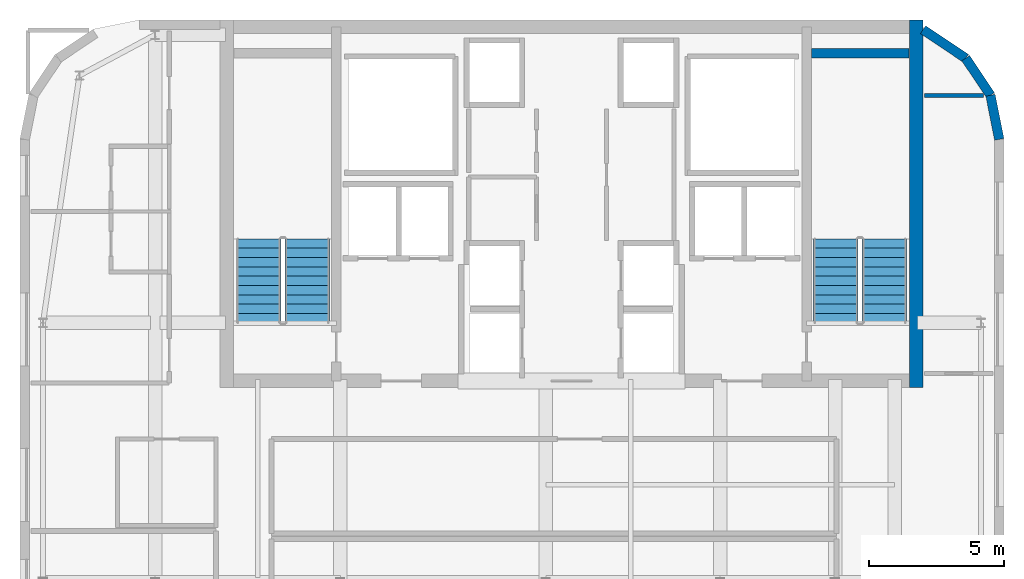
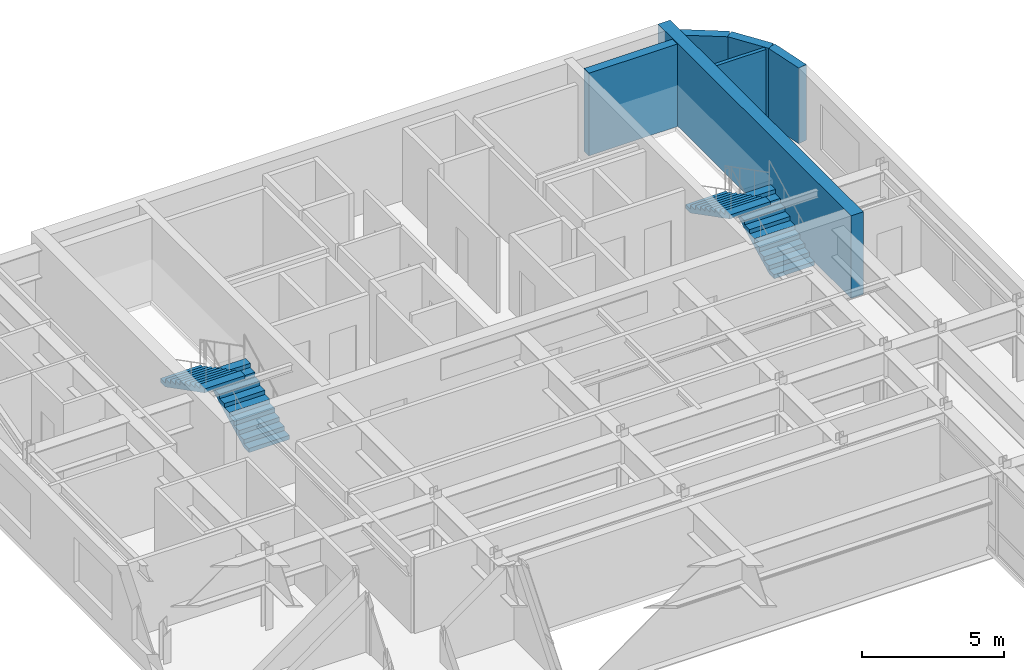
# One storey, part 20 of 21: 6 walls, 4 stair flights, 2 elements without a shape of their own.
"""IFC4 building model written with IfcOpenShell, lengths in metres."""

from ifc_helpers import new_model, si_unit, direction, frame, frame_2d, origin, place, context, subcontext, project, spatial, polyline, rectangle, outline, extrude, material, layer, layer_set, type_object, element, aggregate, save


model = new_model("IFC4")

# Units and contexts
model_context = context("Model", 3, precision=1e-05, world=origin(), true_north=direction((0.0, 1.0)))
body_context = subcontext(model_context, "Body", "Model", "MODEL_VIEW")
ifc_project = project(units=[si_unit("LENGTHUNIT", "METRE"), si_unit("AREAUNIT", "SQUARE_METRE"), si_unit("VOLUMEUNIT", "CUBIC_METRE"), si_unit("PLANEANGLEUNIT", "RADIAN"), si_unit("MASSUNIT", "GRAM", prefix="KILO")], contexts=[model_context])

# Site, building, storey
site_placement = place(None, origin())
site = spatial("IfcSite", under=ifc_project, at=site_placement, CompositionType="ELEMENT")
building_placement = place(site_placement, origin())
building = spatial("IfcBuilding", under=site, at=building_placement, Name="Tolvann Quenvar Hotel", CompositionType="ELEMENT")
storey_placement = place(building_placement, frame((0.0, 0.0, 266.5)))
storey = spatial("IfcBuildingStorey", under=building, at=storey_placement, Name="L71", CompositionType="ELEMENT", Elevation=266.5)

# Walls
ifc_material_1 = material(Name="Concrete N50 (50 MPa)", Category="concrete")
ifc_layer_1 = layer(ifc_material_1, 0.5)
ifc_layer_set_1 = layer_set([ifc_layer_1], Name="Concrete N50 (50 MPa)")
wall_type_1 = type_object("IfcWallType", Name="WALL_CORE_500", PredefinedType="SHEAR", material=ifc_layer_set_1)
wall_1_placement = place(storey_placement, frame((35.75, 31.60009765625, 0.0), z_axis=(0.0, 0.0, 1.0), x_axis=(0.0, 1.0, 0.0)))
element("IfcWall", 1, at=wall_1_placement, inside=storey, type_object=wall_type_1, Name="Rear Core E Shear Wall (L71)", PredefinedType="SHEAR", context=body_context, shape_type="SweptSolid", body=[
    extrude(rectangle(XDim=13.599853515625, YDim=0.5, at=frame_2d((6.7998046875, 0.0))), origin(), (0.0, 0.0, 1.0), 3.550048828125),
])
ifc_material_2 = material(Name="Concrete S65 (65 MPa)", Category="concrete")
ifc_layer_2 = layer(ifc_material_2, 0.35009765625)
ifc_layer_set_2 = layer_set([ifc_layer_2], Name="Concrete S65 (65 MPa)")
wall_type_2 = type_object("IfcWallType", Name="WALL_CORE_INT_350", PredefinedType="SHEAR", material=ifc_layer_set_2)
wall_2_placement = place(storey_placement, frame((31.8798828125, 43.97509765625, 0.0), z_axis=(0.0, 0.0, 1.0), x_axis=(1.0, 0.0, 0.0)))
element("IfcWall", 2, at=wall_2_placement, inside=storey, type_object=wall_type_2, Name="Core Stair North Closing Shear Wall STC2-N (L71)", PredefinedType="SHEAR", context=body_context, shape_type="SweptSolid", body=[
    extrude(rectangle(XDim=3.60009765625, YDim=0.35009765625, at=frame_2d((1.800048828125, 0.0))), origin(), (0.0, 0.0, 1.0), 3.550048828125),
])
ifc_material_3 = material(Name="Kiln-fired red and buff architectural clay brickwork and terracotta masonry", Category="masonry")
ifc_layer_3 = layer(ifc_material_3, 0.35009765625)
ifc_layer_set_3 = layer_set([ifc_layer_3], Name="Kiln-fired red and buff architectural clay brickwork and terracotta masonry")
wall_type_3 = type_object("IfcWallType", Name="WALL_EXT_BRICK_350", PredefinedType="SOLIDWALL", material=ifc_layer_set_3)
wall_3_placement = place(storey_placement, frame((38.824951171875, 40.78271484375, 0.0), z_axis=(0.0, 0.0, 1.0), x_axis=(-0.195044345786, 0.980794424524, 0.0)))
element("IfcWall", 3, at=wall_3_placement, inside=storey, type_object=wall_type_3, Name="Exterior Chicago Brick Wall L71-E14", PredefinedType="SOLIDWALL", context=body_context, shape_type="SweptSolid", body=[
    extrude(rectangle(XDim=1.664794921875, YDim=0.35009765625, at=frame_2d((0.83251953125, 0.0))), origin(), (0.0, 0.0, 1.0), 3.25),
])
wall_4_placement = place(storey_placement, frame((38.500244140625, 42.41552734375, 0.0), z_axis=(0.0, 0.0, 1.0), x_axis=(-0.555520825599, 0.831502623162, 0.0)))
element("IfcWall", 4, at=wall_4_placement, inside=storey, type_object=wall_type_3, Name="Exterior Chicago Brick Wall L71-E15", PredefinedType="SOLIDWALL", context=body_context, shape_type="SweptSolid", body=[
    extrude(rectangle(XDim=1.647216796875, YDim=0.35009765625, at=frame_2d((0.82373046875, 0.0))), origin(), (0.0, 0.0, 1.0), 3.25),
])
wall_5_placement = place(storey_placement, frame((37.585205078125, 43.78515625, 0.0), z_axis=(0.0, 0.0, 1.0), x_axis=(-0.831516639465, 0.555499845448, 0.0)))
element("IfcWall", 5, at=wall_5_placement, inside=storey, type_object=wall_type_3, Name="Exterior Chicago Brick Wall L71-E16", PredefinedType="SOLIDWALL", context=body_context, shape_type="SweptSolid", body=[
    extrude(rectangle(XDim=1.901611328125, YDim=0.35009765625, at=frame_2d((0.95068359375, 0.0))), origin(), (0.0, 0.0, 1.0), 3.25),
])
ifc_material_4 = material(Name="Acoustic twin-stud fire-rated gypsum plasterboard partition")
ifc_layer_4 = layer(ifc_material_4, 0.14990234375)
ifc_layer_set_4 = layer_set([ifc_layer_4], Name="Acoustic twin-stud fire-rated gypsum plasterboard partition")
wall_type_4 = type_object("IfcWallType", Name="WALL_PART_SUITE_150", PredefinedType="PARTITIONING", material=ifc_layer_set_4)
wall_6_placement = place(storey_placement, frame((36.054931640625, 42.39990234375, 0.0), z_axis=(0.0, 0.0, 1.0), x_axis=(1.0, 0.0, 0.0)))
element("IfcWall", 6, at=wall_6_placement, inside=storey, type_object=wall_type_4, Name="Interior Partition PT-SPC-L71-RECPL-P-N", PredefinedType="PARTITIONING", context=body_context, shape_type="SweptSolid", body=[
    extrude(rectangle(XDim=2.178955078125, YDim=0.14990234375, at=frame_2d((1.08935546875, 0.0))), origin(), (0.0, 0.0, 1.0), 3.25),
])

# Stair, stair flights
ifc_material_5 = material(Name="Concrete N40 (40 MPa)", Category="concrete")
stair_type = type_object("IfcStairType", Name="STAIR", PredefinedType="HALF_TURN_STAIR", material=ifc_material_5)
stair_1_placement = place(storey_placement, origin())
stair_1 = element("IfcStair", 7, at=stair_1_placement, inside=storey, type_object=stair_type, Name="L71 ST-C1", PredefinedType="HALF_TURN_STAIR")
stair_flight_type = type_object("IfcStairFlightType", Name="STAIR_FLIGHT", PredefinedType="STRAIGHT", material=ifc_material_5)
stair_flight_1_placement = place(storey_placement, frame((13.22509765625, 34.0, 0.0), z_axis=(0.0, 0.0, 1.0), x_axis=(0.0, 1.0, 0.0)))
stair_flight_1 = element("IfcStairFlight", 8, at=stair_flight_1_placement, type_object=stair_flight_type, Name="ST-C1 flight 1", NumberOfRisers=10, NumberOfTreads=9, PredefinedType="STRAIGHT", RiserHeight=0.1775, TreadLength=0.345, context=body_context, shape_type="SweptSolid", body=[
    extrude(outline(polyline([(0.0, 0.0), (0.0, 0.177490234375), (0.344970703125, 0.177490234375), (0.344970703125, 0.35498046875), (0.68994140625, 0.35498046875), (0.68994140625, 0.532470703125), (1.034912109375, 0.532470703125), (1.034912109375, 0.7099609375), (1.3798828125, 0.7099609375), (1.3798828125, 0.887451171875), (1.72509765625, 0.887451171875), (1.72509765625, 1.06494140625), (2.070068359375, 1.06494140625), (2.070068359375, 1.242431640625), (2.4150390625, 1.242431640625), (2.4150390625, 1.419921875), (2.760009765625, 1.419921875), (2.760009765625, 1.597412109375), (3.10498046875, 1.597412109375), (3.10498046875, 1.77490234375), (3.10498046875, 1.428955078125), (0.32763671875, 0.0), (0.0, 0.0)])), frame((0.0, 0.824951171875, 0.0), z_axis=(0.0, -1.0, 0.0), x_axis=(1.0, 0.0, 0.0)), (0.0, 0.0, 1.0), 1.64990234375),
])
stair_flight_2_placement = place(storey_placement, frame((11.425048828125, 37.10498046875, 1.77490234375), z_axis=(0.0, 0.0, 1.0), x_axis=(0.0, -1.0, 0.0)))
stair_flight_2 = element("IfcStairFlight", 9, at=stair_flight_2_placement, type_object=stair_flight_type, Name="ST-C1 flight 2", NumberOfRisers=10, NumberOfTreads=9, PredefinedType="STRAIGHT", RiserHeight=0.1775, TreadLength=0.345, context=body_context, shape_type="SweptSolid", body=[
    extrude(outline(polyline([(0.0, 0.0), (0.0, 0.177490234375), (0.344970703125, 0.177490234375), (0.344970703125, 0.35498046875), (0.68994140625, 0.35498046875), (0.68994140625, 0.532470703125), (1.034912109375, 0.532470703125), (1.034912109375, 0.7099609375), (1.3798828125, 0.7099609375), (1.3798828125, 0.887451171875), (1.72509765625, 0.887451171875), (1.72509765625, 1.06494140625), (2.070068359375, 1.06494140625), (2.070068359375, 1.242431640625), (2.4150390625, 1.242431640625), (2.4150390625, 1.419921875), (2.760009765625, 1.419921875), (2.760009765625, 1.597412109375), (3.10498046875, 1.597412109375), (3.10498046875, 1.77490234375), (3.10498046875, 1.428955078125), (0.32763671875, 0.0), (0.0, 0.0)])), frame((0.0, 0.824951171875, 0.0), z_axis=(0.0, -1.0, 0.0), x_axis=(1.0, 0.0, 0.0)), (0.0, 0.0, 1.0), 1.64990234375),
])
aggregate(stair_1, [stair_flight_1, stair_flight_2])

stair_2_placement = place(storey_placement, origin())
stair_2 = element("IfcStair", 10, at=stair_2_placement, inside=storey, type_object=stair_type, Name="L71 ST-C2", PredefinedType="HALF_TURN_STAIR")
stair_flight_3_placement = place(storey_placement, frame((34.574951171875, 34.0, 0.0), z_axis=(0.0, 0.0, 1.0), x_axis=(0.0, 1.0, 0.0)))
stair_flight_3 = element("IfcStairFlight", 11, at=stair_flight_3_placement, type_object=stair_flight_type, Name="ST-C2 flight 1", NumberOfRisers=10, NumberOfTreads=9, PredefinedType="STRAIGHT", RiserHeight=0.1775, TreadLength=0.345, context=body_context, shape_type="SweptSolid", body=[
    extrude(outline(polyline([(0.0, 0.0), (0.0, 0.177490234375), (0.344970703125, 0.177490234375), (0.344970703125, 0.35498046875), (0.68994140625, 0.35498046875), (0.68994140625, 0.532470703125), (1.034912109375, 0.532470703125), (1.034912109375, 0.7099609375), (1.3798828125, 0.7099609375), (1.3798828125, 0.887451171875), (1.72509765625, 0.887451171875), (1.72509765625, 1.06494140625), (2.070068359375, 1.06494140625), (2.070068359375, 1.242431640625), (2.4150390625, 1.242431640625), (2.4150390625, 1.419921875), (2.760009765625, 1.419921875), (2.760009765625, 1.597412109375), (3.10498046875, 1.597412109375), (3.10498046875, 1.77490234375), (3.10498046875, 1.428955078125), (0.32763671875, 0.0), (0.0, 0.0)])), frame((0.0, 0.824951171875, 0.0), z_axis=(0.0, -1.0, 0.0), x_axis=(1.0, 0.0, 0.0)), (0.0, 0.0, 1.0), 1.64990234375),
])
stair_flight_4_placement = place(storey_placement, frame((32.77490234375, 37.10498046875, 1.77490234375), z_axis=(0.0, 0.0, 1.0), x_axis=(0.0, -1.0, 0.0)))
stair_flight_4 = element("IfcStairFlight", 12, at=stair_flight_4_placement, type_object=stair_flight_type, Name="ST-C2 flight 2", NumberOfRisers=10, NumberOfTreads=9, PredefinedType="STRAIGHT", RiserHeight=0.1775, TreadLength=0.345, context=body_context, shape_type="SweptSolid", body=[
    extrude(outline(polyline([(0.0, 0.0), (0.0, 0.177490234375), (0.344970703125, 0.177490234375), (0.344970703125, 0.35498046875), (0.68994140625, 0.35498046875), (0.68994140625, 0.532470703125), (1.034912109375, 0.532470703125), (1.034912109375, 0.7099609375), (1.3798828125, 0.7099609375), (1.3798828125, 0.887451171875), (1.72509765625, 0.887451171875), (1.72509765625, 1.06494140625), (2.070068359375, 1.06494140625), (2.070068359375, 1.242431640625), (2.4150390625, 1.242431640625), (2.4150390625, 1.419921875), (2.760009765625, 1.419921875), (2.760009765625, 1.597412109375), (3.10498046875, 1.597412109375), (3.10498046875, 1.77490234375), (3.10498046875, 1.428955078125), (0.32763671875, 0.0), (0.0, 0.0)])), frame((0.0, 0.824951171875, 0.0), z_axis=(0.0, -1.0, 0.0), x_axis=(1.0, 0.0, 0.0)), (0.0, 0.0, 1.0), 1.64990234375),
])
aggregate(stair_2, [stair_flight_3, stair_flight_4])

save(model, "model.ifc")
